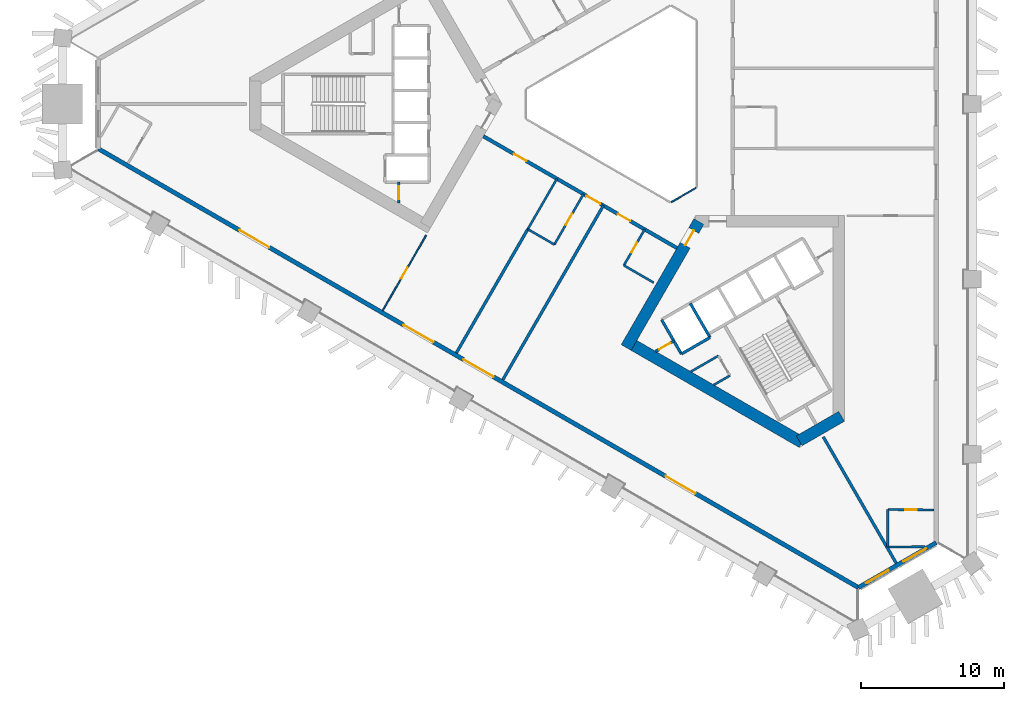
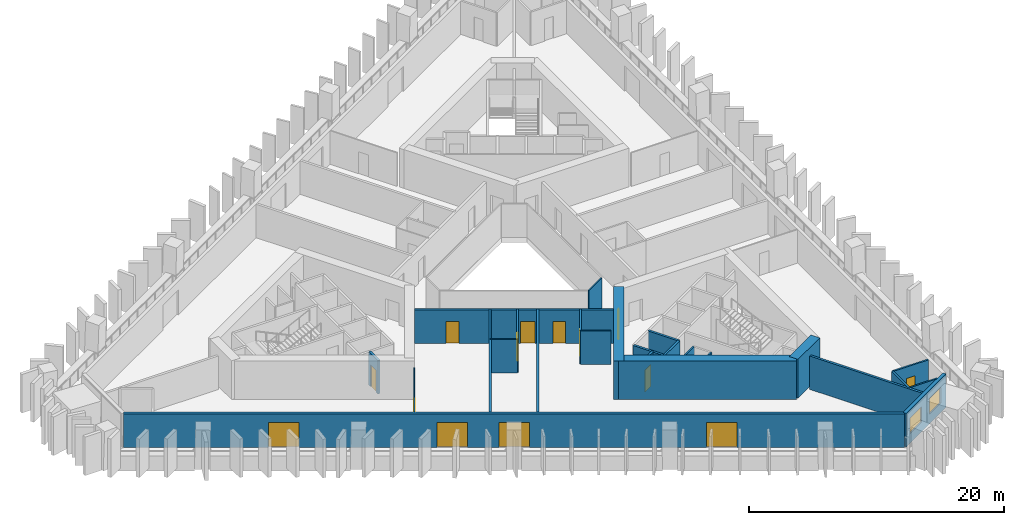
# One storey, part 2 of 10: 26 walls, 14 doors, 2 windows, 16 openings.
"""IFC4 building model written with IfcOpenShell, lengths in metres."""

from ifc_helpers import new_model, si_unit, direction, frame, frame_2d, origin, place, context, subcontext, project, spatial, rectangle, extrude, material, layer, layer_set, type_object, element, fill, save


model = new_model("IFC4")

# Units and contexts
model_context = context("Model", 3, precision=1e-05, world=origin(), true_north=direction((0.0, 1.0)))
body_context = subcontext(model_context, "Body", "Model", "MODEL_VIEW")
ifc_project = project(units=[si_unit("LENGTHUNIT", "METRE"), si_unit("AREAUNIT", "SQUARE_METRE"), si_unit("VOLUMEUNIT", "CUBIC_METRE"), si_unit("PLANEANGLEUNIT", "RADIAN"), si_unit("MASSUNIT", "GRAM", prefix="KILO")], contexts=[model_context])

# Site, building, storey
site_placement = place(None, origin())
site = spatial("IfcSite", under=ifc_project, at=site_placement, CompositionType="ELEMENT")
building_placement = place(site_placement, origin())
building = spatial("IfcBuilding", under=site, at=building_placement, Name="Jabali Bay Hotel Tower and Convention Centre", CompositionType="ELEMENT")
storey_placement = place(building_placement, frame((0.0, 0.0, 41.10009765625)))
storey = spatial("IfcBuildingStorey", under=building, at=storey_placement, Name="L08", CompositionType="ELEMENT", Elevation=41.10009765625)

# Wall
ifc_material_1 = material(Name="Fire-resistant glazing", Category="glass")
ifc_layer_1 = layer(ifc_material_1, 0.10009765625)
ifc_layer_set_1 = layer_set([ifc_layer_1], Name="Fire-resistant glazing")
wall_type_1 = type_object("IfcWallType", Name="Atrium glazed screen 100", PredefinedType="PARTITIONING", material=ifc_layer_set_1)
wall_1_placement = place(storey_placement, frame((77.7978515625, 73.15380859375, 0.0), z_axis=(0.0, 0.0, 1.0), x_axis=(0.866041268327, 0.499972520799, 0.0)))
element("IfcWall", 1, at=wall_1_placement, inside=storey, type_object=wall_type_1, Name="Atrium screen 6 L08", PredefinedType="PARTITIONING", context=body_context, shape_type="SweptSolid", body=[
    extrude(rectangle(XDim=2.0, YDim=0.10009765625, at=frame_2d((1.0, 0.0))), origin(), (0.0, 0.0, 1.0), 3.199951171875),
])

# Wall, opening, door
ifc_material_2 = material(Name="Concrete C40", Category="concrete")
ifc_layer_2 = layer(ifc_material_2, 0.199951171875)
ifc_layer_set_2 = layer_set([ifc_layer_2], Name="Concrete C40")
wall_type_2 = type_object("IfcWallType", Name="Core partition wall 200", PredefinedType="PARTITIONING", material=ifc_layer_set_2)
wall_2_placement = place(storey_placement, frame((58.800048828125, 74.550048828125, 0.0), z_axis=(0.0, 0.0, 1.0), x_axis=(0.0, -1.0, 0.0)))
wall_2 = element("IfcWall", 2, at=wall_2_placement, inside=storey, type_object=wall_type_2, Name="Core wall 0.12 L08", PredefinedType="PARTITIONING", context=body_context, shape_type="SweptSolid", body=[
    extrude(rectangle(XDim=1.455078125, YDim=0.199951171875, at=frame_2d((0.7275390625, 0.0))), origin(), (0.0, 0.0, 1.0), 3.199951171875),
])
opening_1_placement = place(wall_2_placement, frame((0.277587890625, 0.0, 0.0)))
opening_1 = element("IfcOpeningElement", 3, at=opening_1_placement, cuts=wall_2, Name="Opening D254", PredefinedType="OPENING", context=body_context, shape_type="SweptSolid", body=[
    extrude(rectangle(XDim=0.89990234375, YDim=2.10009765625, at=frame_2d((0.449951171875, 1.050048828125))), frame((0.0, 0.1103515625, 0.0), z_axis=(0.0, -1.0, 0.0), x_axis=(1.0, 0.0, 0.0)), (0.0, 0.0, 1.0), 0.220947265625),
])
ifc_material_3 = material(Name="Fire-rated steel door", Category="steel")
door_type_1 = type_object("IfcDoorType", Name="Vestibule fire door 900 x 2100", OperationType="NOTDEFINED", PredefinedType="NOTDEFINED", material=ifc_material_3)
door_1_placement = place(opening_1_placement, origin())
door_1 = element("IfcDoor", 4, at=door_1_placement, inside=storey, type_object=door_type_1, Name="Vestibule fire door D254", OperationType="SINGLE_SWING_LEFT", OverallHeight=2.10009765625, OverallWidth=0.89990234375, PredefinedType="NOTDEFINED", context=body_context, shape_type="SweptSolid", body=[
    extrude(rectangle(XDim=0.89990234375, YDim=2.10009765625, at=frame_2d((0.449951171875, 1.050048828125))), frame((0.0, 0.02490234375, 0.0), z_axis=(0.0, -1.0, 0.0), x_axis=(1.0, 0.0, 0.0)), (0.0, 0.0, 1.0), 0.050048828125),
])
fill(opening_1, door_1)

wall_3_placement = place(storey_placement, frame((76.719970703125, 62.748779296875, 0.0), z_axis=(0.0, 0.0, 1.0), x_axis=(0.866054810376, 0.49994906283, 0.0)))
wall_3 = element("IfcWall", 5, at=wall_3_placement, inside=storey, type_object=wall_type_2, Name="Core wall 2.11 L08", PredefinedType="PARTITIONING", context=body_context, shape_type="SweptSolid", body=[
    extrude(rectangle(XDim=1.461181640625, YDim=0.199951171875, at=frame_2d((0.73046875, 0.0))), origin(), (0.0, 0.0, 1.0), 3.199951171875),
])
opening_2_placement = place(wall_3_placement, frame((0.280517578125, 0.0, 0.0)))
opening_2 = element("IfcOpeningElement", 6, at=opening_2_placement, cuts=wall_3, Name="Opening D267", PredefinedType="OPENING", context=body_context, shape_type="SweptSolid", body=[
    extrude(rectangle(XDim=0.89990234375, YDim=2.10009765625, at=frame_2d((0.449951171875, 1.050048828125))), frame((0.0, 0.1103515625, 0.0), z_axis=(0.0, -1.0, 0.0), x_axis=(1.0, 0.0, 0.0)), (0.0, 0.0, 1.0), 0.220947265625),
])
door_2_placement = place(opening_2_placement, origin())
door_2 = element("IfcDoor", 7, at=door_2_placement, inside=storey, type_object=door_type_1, Name="Vestibule fire door D267", OperationType="SINGLE_SWING_LEFT", OverallHeight=2.10009765625, OverallWidth=0.89990234375, PredefinedType="NOTDEFINED", context=body_context, shape_type="SweptSolid", body=[
    extrude(rectangle(XDim=0.89990234375, YDim=2.10009765625, at=frame_2d((0.449951171875, 1.050048828125))), frame((0.0, 0.02490234375, 0.0), z_axis=(0.0, -1.0, 0.0), x_axis=(1.0, 0.0, 0.0)), (0.0, 0.0, 1.0), 0.050048828125),
])
fill(opening_2, door_2)

# Walls
ifc_material_4 = material(Name="Fire-rated board partition")
ifc_layer_3 = layer(ifc_material_4, 0.14990234375)
ifc_layer_set_3 = layer_set([ifc_layer_3], Name="Fire-rated board partition")
wall_type_3 = type_object("IfcWallType", Name="Core room partition 150", PredefinedType="PARTITIONING", material=ifc_layer_set_3)
wall_4_placement = place(storey_placement, frame((79.169921875, 61.334228515625, 0.0), z_axis=(0.0, 0.0, 1.0), x_axis=(0.866030041738, 0.499991966744, 0.0)))
element("IfcWall", 8, at=wall_4_placement, inside=storey, type_object=wall_type_3, Name="Core wall 2.16 L08", PredefinedType="PARTITIONING", context=body_context, shape_type="SweptSolid", body=[
    extrude(rectangle(XDim=2.2216796875, YDim=0.14990234375, at=frame_2d((1.11083984375, 0.0))), origin(), (0.0, 0.0, 1.0), 3.199951171875),
])
wall_5_placement = place(storey_placement, frame((80.77001953125, 60.410400390625, 0.0), z_axis=(0.0, 0.0, 1.0), x_axis=(0.865988195383, 0.500064441305, 0.0)))
element("IfcWall", 9, at=wall_5_placement, inside=storey, type_object=wall_type_3, Name="Core wall 2.17 L08", PredefinedType="PARTITIONING", context=body_context, shape_type="SweptSolid", body=[
    extrude(rectangle(XDim=1.297607421875, YDim=0.14990234375, at=frame_2d((0.64892578125, 0.0))), origin(), (0.0, 0.0, 1.0), 3.199951171875),
])
ifc_layer_4 = layer(ifc_material_2, 0.199951171875)
ifc_layer_set_4 = layer_set([ifc_layer_4], Name="Concrete C40")
wall_type_4 = type_object("IfcWallType", Name="Core stair wall 200", PredefinedType="SOLIDWALL", material=ifc_layer_set_4)
for number, where, z_axis, x_axis, name in (
    (10, (77.13525390625, 64.95166015625, 0.0), (0.0, 0.0, 1.0), (0.499996545922, -0.866027397988, 0.0), "Core wall 2.0 L08"),
    (11, (79.127197265625, 66.1015625, 0.0), (0.0, 0.0, 1.0), (0.499996545922, -0.866027397988, 0.0), "Core wall 2.2 L08"),
):
    element("IfcWall", number, at=place(storey_placement, frame(where, z_axis=z_axis, x_axis=x_axis)), inside=storey, type_object=wall_type_4, Name=name, PredefinedType="SOLIDWALL", context=body_context, shape_type="SweptSolid", body=[
        extrude(rectangle(XDim=2.75, YDim=0.199951171875, at=frame_2d((1.375, 0.0))), origin(), (0.0, 0.0, 1.0), 3.199951171875),
    ])
wall_6_placement = place(storey_placement, frame((78.51025390625, 62.570068359375, 0.0), z_axis=(0.0, 0.0, 1.0), x_axis=(0.866053019151, 0.499952165731, 0.0)))
element("IfcWall", 12, at=wall_6_placement, inside=storey, type_object=wall_type_4, Name="Core wall 2.14 L08", PredefinedType="SOLIDWALL", context=body_context, shape_type="SweptSolid", body=[
    extrude(rectangle(XDim=2.300048828125, YDim=0.199951171875, at=frame_2d((1.14990234375, 0.0))), origin(), (0.0, 0.0, 1.0), 3.199951171875),
])

# Wall, opening, door
ifc_material_5 = material(Name="Concrete C60", Category="concrete")
ifc_layer_5 = layer(ifc_material_5, 0.800048828125)
ifc_layer_set_5 = layer_set([ifc_layer_5], Name="Concrete C60")
wall_type_5 = type_object("IfcWallType", Name="Core wall 800", PredefinedType="SHEAR", material=ifc_layer_set_5)
wall_7_placement = place(storey_placement, frame((79.73095703125, 71.8056640625, 0.0), z_axis=(0.0, 0.0, 1.0), x_axis=(-0.49999662545, -0.866027352073, 0.0)))
wall_7 = element("IfcWall", 13, at=wall_7_placement, inside=storey, type_object=wall_type_5, Name="Core wall 3.1 L08", PredefinedType="SHEAR", context=body_context, shape_type="SweptSolid", body=[
    extrude(rectangle(XDim=10.14892578125, YDim=0.800048828125, at=frame_2d((5.074462890625, 0.0))), origin(), (0.0, 0.0, 1.0), 3.699951171875),
])
opening_3_placement = place(wall_7_placement, frame((0.718994140625, 0.0, 0.0)))
opening_3 = element("IfcOpeningElement", 14, at=opening_3_placement, cuts=wall_7, Name="Opening D264", PredefinedType="OPENING", context=body_context, shape_type="SweptSolid", body=[
    extrude(rectangle(XDim=1.199951171875, YDim=2.10009765625, at=frame_2d((0.60009765625, 1.050048828125))), frame((0.0, 0.41064453125, 0.0), z_axis=(0.0, -1.0, 0.0), x_axis=(1.0, 0.0, 0.0)), (0.0, 0.0, 1.0), 0.821044921875),
])
door_type_2 = type_object("IfcDoorType", Name="Corridor end fire door 1200 x 2100", OperationType="NOTDEFINED", PredefinedType="NOTDEFINED", material=ifc_material_3)
door_3_placement = place(opening_3_placement, origin())
door_3 = element("IfcDoor", 15, at=door_3_placement, inside=storey, type_object=door_type_2, Name="Corridor end fire door D264", OperationType="SINGLE_SWING_RIGHT", OverallHeight=2.10009765625, OverallWidth=1.199951171875, PredefinedType="NOTDEFINED", context=body_context, shape_type="SweptSolid", body=[
    extrude(rectangle(XDim=1.199951171875, YDim=2.10009765625, at=frame_2d((0.60009765625, 1.050048828125))), frame((0.0, 0.02490234375, 0.0), z_axis=(0.0, -1.0, 0.0), x_axis=(1.0, 0.0, 0.0)), (0.0, 0.0, 1.0), 0.050048828125),
])
fill(opening_3, door_3)

# Walls
wall_8_placement = place(storey_placement, frame((74.8564453125, 63.36279296875, 0.0), z_axis=(0.0, 0.0, 1.0), x_axis=(0.866029478545, -0.499992942241, 0.0)))
element("IfcWall", 16, at=wall_8_placement, inside=storey, type_object=wall_type_5, Name="Core wall 3.2 L08", PredefinedType="SHEAR", context=body_context, shape_type="SweptSolid", body=[
    extrude(rectangle(XDim=13.933349609375, YDim=0.800048828125, at=frame_2d((6.966796875, 0.0))), origin(), (0.0, 0.0, 1.0), 3.699951171875),
])
wall_9_placement = place(storey_placement, frame((86.72314453125, 56.51171875, 0.0), z_axis=(0.0, 0.0, 1.0), x_axis=(0.866034355626, 0.499984494636, 0.0)))
element("IfcWall", 17, at=wall_9_placement, inside=storey, type_object=wall_type_5, Name="Core wall 3.3 L08", PredefinedType="SHEAR", context=body_context, shape_type="SweptSolid", body=[
    extrude(rectangle(XDim=3.4140625, YDim=0.800048828125, at=frame_2d((1.70703125, 0.0))), origin(), (0.0, 0.0, 1.0), 3.699951171875),
])

# Wall, openings, doors
ifc_layer_6 = layer(ifc_material_5, 0.25)
ifc_layer_set_6 = layer_set([ifc_layer_6], Name="Concrete C60")
wall_type_6 = type_object("IfcWallType", Name="Corridor wall 250", PredefinedType="SHEAR", material=ifc_layer_set_6)
wall_10_placement = place(storey_placement, frame((64.699951171875, 77.748291015625, 0.0), z_axis=(0.0, 0.0, 1.0), x_axis=(0.866026492143, -0.499998114903, 0.0)))
wall_10 = element("IfcWall", 18, at=wall_10_placement, inside=storey, type_object=wall_type_6, Name="Corridor wall 3 L08", PredefinedType="SHEAR", context=body_context, shape_type="SweptSolid", body=[
    extrude(rectangle(XDim=15.58837890625, YDim=0.25, at=frame_2d((7.794189453125, 0.0))), origin(), (0.0, 0.0, 1.0), 3.199951171875),
])
opening_4_placement = place(wall_10_placement, frame((2.4619140625, 0.0, 0.0)))
opening_4 = element("IfcOpeningElement", 19, at=opening_4_placement, cuts=wall_10, Name="Opening 0816", PredefinedType="OPENING", context=body_context, shape_type="SweptSolid", body=[
    extrude(rectangle(XDim=1.0, YDim=2.10009765625, at=frame_2d((0.5, 1.050048828125))), frame((0.0, 0.135498046875, 0.0), z_axis=(0.0, -1.0, 0.0), x_axis=(1.0, 0.0, 0.0)), (0.0, 0.0, 1.0), 0.27099609375),
])
opening_5_placement = place(wall_10_placement, frame((8.314697265625, 0.0, 0.0)))
opening_5 = element("IfcOpeningElement", 20, at=opening_5_placement, cuts=wall_10, Name="Opening 0820", PredefinedType="OPENING", context=body_context, shape_type="SweptSolid", body=[
    extrude(rectangle(XDim=1.10009765625, YDim=2.10009765625, at=frame_2d((0.550048828125, 1.050048828125))), frame((0.0, 0.135498046875, 0.0), z_axis=(0.0, -1.0, 0.0), x_axis=(1.0, 0.0, 0.0)), (0.0, 0.0, 1.0), 0.27099609375),
])
opening_6_placement = place(wall_10_placement, frame((10.82666015625, 0.0, 0.0)))
opening_6 = element("IfcOpeningElement", 21, at=opening_6_placement, cuts=wall_10, Name="Opening 0822", PredefinedType="OPENING", context=body_context, shape_type="SweptSolid", body=[
    extrude(rectangle(XDim=1.0, YDim=2.10009765625, at=frame_2d((0.5, 1.050048828125))), frame((0.0, 0.135498046875, 0.0), z_axis=(0.0, -1.0, 0.0), x_axis=(1.0, 0.0, 0.0)), (0.0, 0.0, 1.0), 0.27099609375),
])
ifc_material_6 = material(Name="Timber", Category="wood")
door_type_3 = type_object("IfcDoorType", Name="Accessible guest room door 1100 x 2100", OperationType="NOTDEFINED", PredefinedType="NOTDEFINED", material=ifc_material_6)
door_4_placement = place(opening_5_placement, origin())
door_4 = element("IfcDoor", 22, at=door_4_placement, inside=storey, type_object=door_type_3, Name="Door 0820", OperationType="SINGLE_SWING_RIGHT", OverallHeight=2.10009765625, OverallWidth=1.10009765625, PredefinedType="NOTDEFINED", context=body_context, shape_type="SweptSolid", body=[
    extrude(rectangle(XDim=1.10009765625, YDim=2.10009765625, at=frame_2d((0.550048828125, 1.050048828125))), frame((0.0, 0.02490234375, 0.0), z_axis=(0.0, -1.0, 0.0), x_axis=(1.0, 0.0, 0.0)), (0.0, 0.0, 1.0), 0.050048828125),
])
fill(opening_5, door_4)
door_type_4 = type_object("IfcDoorType", Name="Guest room door 1000 x 2100", OperationType="NOTDEFINED", PredefinedType="NOTDEFINED", material=ifc_material_6)
door_5_placement = place(opening_4_placement, origin())
door_5 = element("IfcDoor", 23, at=door_5_placement, inside=storey, type_object=door_type_4, Name="Door 0816", OperationType="SINGLE_SWING_LEFT", OverallHeight=2.10009765625, OverallWidth=1.0, PredefinedType="NOTDEFINED", context=body_context, shape_type="SweptSolid", body=[
    extrude(rectangle(XDim=1.0, YDim=2.10009765625, at=frame_2d((0.5, 1.050048828125))), frame((0.0, 0.02490234375, 0.0), z_axis=(0.0, -1.0, 0.0), x_axis=(1.0, 0.0, 0.0)), (0.0, 0.0, 1.0), 0.050048828125),
])
fill(opening_4, door_5)
door_6_placement = place(opening_6_placement, origin())
door_6 = element("IfcDoor", 24, at=door_6_placement, inside=storey, type_object=door_type_4, Name="Door 0822", OperationType="SINGLE_SWING_RIGHT", OverallHeight=2.10009765625, OverallWidth=1.0, PredefinedType="NOTDEFINED", context=body_context, shape_type="SweptSolid", body=[
    extrude(rectangle(XDim=1.0, YDim=2.10009765625, at=frame_2d((0.5, 1.050048828125))), frame((0.0, 0.02490234375, 0.0), z_axis=(0.0, -1.0, 0.0), x_axis=(1.0, 0.0, 0.0)), (0.0, 0.0, 1.0), 0.050048828125),
])
fill(opening_6, door_6)

# Wall, openings, windows
ifc_layer_7 = layer(ifc_material_2, 0.300048828125)
ifc_layer_set_7 = layer_set([ifc_layer_7], Name="Concrete C40")
wall_type_7 = type_object("IfcWallType", Name="External wall 300", PredefinedType="SOLIDWALL", material=ifc_layer_set_7)
wall_11_placement = place(storey_placement, frame((96.27587890625, 49.409912109375, 0.0), z_axis=(0.0, 0.0, 1.0), x_axis=(-0.866021938441, -0.500006002103, 0.0)))
wall_11 = element("IfcWall", 25, at=wall_11_placement, inside=storey, type_object=wall_type_7, Name="External wall south-east chamfer L08", PredefinedType="SOLIDWALL", context=body_context, shape_type="SweptSolid", body=[
    extrude(rectangle(XDim=6.2607421875, YDim=0.300048828125, at=frame_2d((3.13037109375, 0.0))), origin(), (0.0, 0.0, 1.0), 3.199951171875),
])
opening_7_placement = place(wall_11_placement, frame((0.82958984375, 0.0, 0.89990234375)))
opening_7 = element("IfcOpeningElement", 26, at=opening_7_placement, cuts=wall_11, Name="Opening W1", PredefinedType="OPENING", context=body_context, shape_type="SweptSolid", body=[
    extrude(rectangle(XDim=1.800048828125, YDim=1.5, at=frame_2d((0.89990234375, 0.75))), frame((0.0, 0.16064453125, 0.0), z_axis=(0.0, -1.0, 0.0), x_axis=(1.0, 0.0, 0.0)), (0.0, 0.0, 1.0), 0.321044921875),
])
opening_8_placement = place(wall_11_placement, frame((3.83837890625, 0.0, 0.89990234375)))
opening_8 = element("IfcOpeningElement", 27, at=opening_8_placement, cuts=wall_11, Name="Opening W1", PredefinedType="OPENING", context=body_context, shape_type="SweptSolid", body=[
    extrude(rectangle(XDim=1.800048828125, YDim=1.5, at=frame_2d((0.89990234375, 0.75))), frame((0.0, 0.16064453125, 0.0), z_axis=(0.0, -1.0, 0.0), x_axis=(1.0, 0.0, 0.0)), (0.0, 0.0, 1.0), 0.321044921875),
])
ifc_material_7 = material(Name="Glass", Category="glass")
window_type = type_object("IfcWindowType", Name="Window 1800 x 1500", PartitioningType="SINGLE_PANEL", PredefinedType="WINDOW", material=ifc_material_7)
window_1_placement = place(opening_7_placement, origin())
window_1 = element("IfcWindow", 28, at=window_1_placement, inside=storey, type_object=window_type, Name="Window 801", OverallHeight=1.5, OverallWidth=1.800048828125, PartitioningType="SINGLE_PANEL", PredefinedType="WINDOW", context=body_context, shape_type="SweptSolid", body=[
    extrude(rectangle(XDim=1.800048828125, YDim=1.5, at=frame_2d((0.89990234375, 0.75))), frame((0.0, 0.030029296875, 0.0), z_axis=(0.0, -1.0, 0.0), x_axis=(1.0, 0.0, 0.0)), (0.0, 0.0, 1.0), 0.06005859375),
])
fill(opening_7, window_1)
window_2_placement = place(opening_8_placement, origin())
window_2 = element("IfcWindow", 29, at=window_2_placement, inside=storey, type_object=window_type, Name="Window 809", OverallHeight=1.5, OverallWidth=1.800048828125, PartitioningType="SINGLE_PANEL", PredefinedType="WINDOW", context=body_context, shape_type="SweptSolid", body=[
    extrude(rectangle(XDim=1.800048828125, YDim=1.5, at=frame_2d((0.89990234375, 0.75))), frame((0.0, 0.030029296875, 0.0), z_axis=(0.0, -1.0, 0.0), x_axis=(1.0, 0.0, 0.0)), (0.0, 0.0, 1.0), 0.06005859375),
])
fill(opening_8, window_2)

# Wall, openings, doors
wall_12_placement = place(storey_placement, frame((90.85400390625, 46.279541015625, 0.0), z_axis=(0.0, 0.0, 1.0), x_axis=(-0.866026630825, 0.499997874697, 0.0)))
wall_12 = element("IfcWall", 30, at=wall_12_placement, inside=storey, type_object=wall_type_7, Name="External wall south-west face L08", PredefinedType="SOLIDWALL", context=body_context, shape_type="SweptSolid", body=[
    extrude(rectangle(XDim=61.180419921875, YDim=0.300048828125, at=frame_2d((30.59033203125, 0.0))), origin(), (0.0, 0.0, 1.0), 3.199951171875),
])
opening_9_placement = place(wall_12_placement, frame((29.39013671875, 0.0, 0.0)))
opening_9 = element("IfcOpeningElement", 31, at=opening_9_placement, cuts=wall_12, Name="Opening SD1", PredefinedType="OPENING", context=body_context, shape_type="SweptSolid", body=[
    extrude(rectangle(XDim=2.39990234375, YDim=2.39990234375, at=frame_2d((1.199951171875, 1.199951171875))), frame((0.0, 0.16064453125, 0.0), z_axis=(0.0, -1.0, 0.0), x_axis=(1.0, 0.0, 0.0)), (0.0, 0.0, 1.0), 0.321044921875),
])
opening_10_placement = place(wall_12_placement, frame((34.22265625, 0.0, 0.0)))
opening_10 = element("IfcOpeningElement", 32, at=opening_10_placement, cuts=wall_12, Name="Opening SD1", PredefinedType="OPENING", context=body_context, shape_type="SweptSolid", body=[
    extrude(rectangle(XDim=2.39990234375, YDim=2.39990234375, at=frame_2d((1.199951171875, 1.199951171875))), frame((0.0, 0.16064453125, 0.0), z_axis=(0.0, -1.0, 0.0), x_axis=(1.0, 0.0, 0.0)), (0.0, 0.0, 1.0), 0.321044921875),
])
opening_11_placement = place(wall_12_placement, frame((47.43896484375, 0.0, 0.0)))
opening_11 = element("IfcOpeningElement", 33, at=opening_11_placement, cuts=wall_12, Name="Opening SD1", PredefinedType="OPENING", context=body_context, shape_type="SweptSolid", body=[
    extrude(rectangle(XDim=2.39990234375, YDim=2.39990234375, at=frame_2d((1.199951171875, 1.199951171875))), frame((0.0, 0.16064453125, 0.0), z_axis=(0.0, -1.0, 0.0), x_axis=(1.0, 0.0, 0.0)), (0.0, 0.0, 1.0), 0.321044921875),
])
opening_12_placement = place(wall_12_placement, frame((13.116455078125, 0.0, 0.0)))
opening_12 = element("IfcOpeningElement", 34, at=opening_12_placement, cuts=wall_12, Name="Opening SD1", PredefinedType="OPENING", context=body_context, shape_type="SweptSolid", body=[
    extrude(rectangle(XDim=2.39990234375, YDim=2.39990234375, at=frame_2d((1.199951171875, 1.199951171875))), frame((0.0, 0.16064453125, 0.0), z_axis=(0.0, -1.0, 0.0), x_axis=(1.0, 0.0, 0.0)), (0.0, 0.0, 1.0), 0.321044921875),
])
door_type_5 = type_object("IfcDoorType", Name="Loggia sliding door 2400 x 2400", OperationType="NOTDEFINED", PredefinedType="NOTDEFINED", material=ifc_material_7)
door_7_placement = place(opening_9_placement, origin())
door_7 = element("IfcDoor", 35, at=door_7_placement, inside=storey, type_object=door_type_5, Name="Loggia sliding door 808", OperationType="SLIDING_TO_LEFT", OverallHeight=2.39990234375, OverallWidth=2.39990234375, PredefinedType="NOTDEFINED", context=body_context, shape_type="SweptSolid", body=[
    extrude(rectangle(XDim=2.39990234375, YDim=2.39990234375, at=frame_2d((1.199951171875, 1.199951171875))), frame((0.0, 0.02490234375, 0.0), z_axis=(0.0, -1.0, 0.0), x_axis=(1.0, 0.0, 0.0)), (0.0, 0.0, 1.0), 0.050048828125),
])
fill(opening_9, door_7)
door_8_placement = place(opening_10_placement, origin())
door_8 = element("IfcDoor", 36, at=door_8_placement, inside=storey, type_object=door_type_5, Name="Loggia sliding door 807", OperationType="SLIDING_TO_RIGHT", OverallHeight=2.39990234375, OverallWidth=2.39990234375, PredefinedType="NOTDEFINED", context=body_context, shape_type="SweptSolid", body=[
    extrude(rectangle(XDim=2.39990234375, YDim=2.39990234375, at=frame_2d((1.199951171875, 1.199951171875))), frame((0.0, 0.02490234375, 0.0), z_axis=(0.0, -1.0, 0.0), x_axis=(1.0, 0.0, 0.0)), (0.0, 0.0, 1.0), 0.050048828125),
])
fill(opening_10, door_8)
door_9_placement = place(opening_11_placement, origin())
door_9 = element("IfcDoor", 37, at=door_9_placement, inside=storey, type_object=door_type_5, Name="Loggia sliding door 807", OperationType="SLIDING_TO_LEFT", OverallHeight=2.39990234375, OverallWidth=2.39990234375, PredefinedType="NOTDEFINED", context=body_context, shape_type="SweptSolid", body=[
    extrude(rectangle(XDim=2.39990234375, YDim=2.39990234375, at=frame_2d((1.199951171875, 1.199951171875))), frame((0.0, 0.02490234375, 0.0), z_axis=(0.0, -1.0, 0.0), x_axis=(1.0, 0.0, 0.0)), (0.0, 0.0, 1.0), 0.050048828125),
])
fill(opening_11, door_9)
door_10_placement = place(opening_12_placement, origin())
door_10 = element("IfcDoor", 38, at=door_10_placement, inside=storey, type_object=door_type_5, Name="Loggia sliding door 809", OperationType="SLIDING_TO_RIGHT", OverallHeight=2.39990234375, OverallWidth=2.39990234375, PredefinedType="NOTDEFINED", context=body_context, shape_type="SweptSolid", body=[
    extrude(rectangle(XDim=2.39990234375, YDim=2.39990234375, at=frame_2d((1.199951171875, 1.199951171875))), frame((0.0, 0.02490234375, 0.0), z_axis=(0.0, -1.0, 0.0), x_axis=(1.0, 0.0, 0.0)), (0.0, 0.0, 1.0), 0.050048828125),
])
fill(opening_12, door_10)

# Wall, opening, door
ifc_material_8 = material(Name="Plasterboard on steel stud", Category="steel")
ifc_layer_8 = layer(ifc_material_8, 0.10009765625)
ifc_layer_set_8 = layer_set([ifc_layer_8], Name="Plasterboard on steel stud")
wall_type_8 = type_object("IfcWallType", Name="Partition 100 unit", PredefinedType="PARTITIONING", material=ifc_layer_set_8)
wall_13_placement = place(storey_placement, frame((60.71044921875, 70.83837890625, 0.0), z_axis=(0.0, 0.0, 1.0), x_axis=(-0.499985689571, -0.866033665757, 0.0)))
wall_13 = element("IfcWall", 39, at=wall_13_placement, inside=storey, type_object=wall_type_8, Name="Partition P02 L08 027", PredefinedType="PARTITIONING", context=body_context, shape_type="SweptSolid", body=[
    extrude(rectangle(XDim=6.048095703125, YDim=0.10009765625, at=frame_2d((3.02392578125, 0.0))), origin(), (0.0, 0.0, 1.0), 3.199951171875),
])
opening_13_placement = place(wall_13_placement, frame((2.573974609375, 0.0, 0.0)))
opening_13 = element("IfcOpeningElement", 40, at=opening_13_placement, cuts=wall_13, Name="Opening 0817", PredefinedType="OPENING", context=body_context, shape_type="SweptSolid", body=[
    extrude(rectangle(XDim=0.89990234375, YDim=2.10009765625, at=frame_2d((0.449951171875, 1.050048828125))), frame((0.0, 0.060546875, 0.0), z_axis=(0.0, -1.0, 0.0), x_axis=(1.0, 0.0, 0.0)), (0.0, 0.0, 1.0), 0.12109375),
])
door_type_6 = type_object("IfcDoorType", Name="Internal door 900 x 2100", OperationType="NOTDEFINED", PredefinedType="NOTDEFINED", material=ifc_material_6)
door_11_placement = place(opening_13_placement, origin())
door_11 = element("IfcDoor", 41, at=door_11_placement, inside=storey, type_object=door_type_6, Name="Door 0817", OperationType="SINGLE_SWING_RIGHT", OverallHeight=2.10009765625, OverallWidth=0.89990234375, PredefinedType="NOTDEFINED", context=body_context, shape_type="SweptSolid", body=[
    extrude(rectangle(XDim=0.89990234375, YDim=2.10009765625, at=frame_2d((0.449951171875, 1.050048828125))), frame((0.0, 0.02490234375, 0.0), z_axis=(0.0, -1.0, 0.0), x_axis=(1.0, 0.0, 0.0)), (0.0, 0.0, 1.0), 0.050048828125),
])
fill(opening_13, door_11)

# Walls
ifc_layer_9 = layer(ifc_material_8, 0.14990234375)
ifc_layer_set_9 = layer_set([ifc_layer_9], Name="Plasterboard on steel stud")
wall_type_9 = type_object("IfcWallType", Name="Partition 150 wet", PredefinedType="PARTITIONING", material=ifc_layer_set_9)
wall_14_placement = place(storey_placement, frame((95.48193359375, 49.12353515625, 0.0), z_axis=(0.0, 0.0, 1.0), x_axis=(-0.999994198992, -0.003406168149, 0.0)))
element("IfcWall", 42, at=wall_14_placement, inside=storey, type_object=wall_type_9, Name="Partition P03 L08 004", PredefinedType="PARTITIONING", context=body_context, shape_type="SweptSolid", body=[
    extrude(rectangle(XDim=2.580322265625, YDim=0.14990234375, at=frame_2d((1.2900390625, 0.0))), origin(), (0.0, 0.0, 1.0), 3.199951171875),
])
wall_15_placement = place(storey_placement, frame((92.901611328125, 49.11474609375, 0.0), z_axis=(0.0, 0.0, 1.0), x_axis=(0.0, 1.0, 0.0)))
element("IfcWall", 43, at=wall_15_placement, inside=storey, type_object=wall_type_9, Name="Partition P03 L08 005", PredefinedType="PARTITIONING", context=body_context, shape_type="SweptSolid", body=[
    extrude(rectangle(XDim=2.60009765625, YDim=0.14990234375, at=frame_2d((1.300048828125, 0.0))), origin(), (0.0, 0.0, 1.0), 3.199951171875),
])

# Wall, opening, door
wall_16_placement = place(storey_placement, frame((92.901611328125, 51.71484375, 0.0), z_axis=(0.0, 0.0, 1.0), x_axis=(0.999982570839, -0.005904067862, 0.0)))
wall_16 = element("IfcWall", 44, at=wall_16_placement, inside=storey, type_object=wall_type_9, Name="Partition P03 L08 006", PredefinedType="PARTITIONING", context=body_context, shape_type="SweptSolid", body=[
    extrude(rectangle(XDim=3.225341796875, YDim=0.14990234375, at=frame_2d((1.61279296875, 0.0))), origin(), (0.0, 0.0, 1.0), 3.199951171875),
])
opening_14_placement = place(wall_16_placement, frame((1.212890625, 0.0, 0.0)))
opening_14 = element("IfcOpeningElement", 45, at=opening_14_placement, cuts=wall_16, Name="Opening 0803", PredefinedType="OPENING", context=body_context, shape_type="SweptSolid", body=[
    extrude(rectangle(XDim=0.800048828125, YDim=2.10009765625, at=frame_2d((0.39990234375, 1.050048828125))), frame((0.0, 0.08544921875, 0.0), z_axis=(0.0, -1.0, 0.0), x_axis=(1.0, 0.0, 0.0)), (0.0, 0.0, 1.0), 0.1708984375),
])
door_type_7 = type_object("IfcDoorType", Name="En-suite door 800 x 2100", OperationType="NOTDEFINED", PredefinedType="NOTDEFINED", material=ifc_material_6)
door_12_placement = place(opening_14_placement, origin())
door_12 = element("IfcDoor", 46, at=door_12_placement, inside=storey, type_object=door_type_7, Name="Door 0803", OperationType="SINGLE_SWING_LEFT", OverallHeight=2.10009765625, OverallWidth=0.800048828125, PredefinedType="NOTDEFINED", context=body_context, shape_type="SweptSolid", body=[
    extrude(rectangle(XDim=0.800048828125, YDim=2.10009765625, at=frame_2d((0.39990234375, 1.050048828125))), frame((0.0, 0.02490234375, 0.0), z_axis=(0.0, -1.0, 0.0), x_axis=(1.0, 0.0, 0.0)), (0.0, 0.0, 1.0), 0.050048828125),
])
fill(opening_14, door_12)

# Wall
wall_17_placement = place(storey_placement, frame((67.79833984375, 71.267822265625, 0.0), z_axis=(0.0, 0.0, 1.0), x_axis=(0.500029316959, 0.866008476969, 0.0)))
element("IfcWall", 47, at=wall_17_placement, inside=storey, type_object=wall_type_9, Name="Partition P03 L08 029", PredefinedType="PARTITIONING", context=body_context, shape_type="SweptSolid", body=[
    extrude(rectangle(XDim=4.063232421875, YDim=0.14990234375, at=frame_2d((2.03173828125, 0.0))), origin(), (0.0, 0.0, 1.0), 3.199951171875),
])

# Wall, opening, door
wall_18_placement = place(storey_placement, frame((71.684326171875, 73.7158203125, 0.0), z_axis=(0.0, 0.0, 1.0), x_axis=(-0.500010271798, -0.866019473278, 0.0)))
wall_18 = element("IfcWall", 48, at=wall_18_placement, inside=storey, type_object=wall_type_9, Name="Partition P03 L08 033", PredefinedType="PARTITIONING", context=body_context, shape_type="SweptSolid", body=[
    extrude(rectangle(XDim=4.06298828125, YDim=0.14990234375, at=frame_2d((2.031494140625, 0.0))), origin(), (0.0, 0.0, 1.0), 3.199951171875),
])
opening_15_placement = place(wall_18_placement, frame((1.58203125, 0.0, 0.0)))
opening_15 = element("IfcOpeningElement", 49, at=opening_15_placement, cuts=wall_18, Name="Opening 0819", PredefinedType="OPENING", context=body_context, shape_type="SweptSolid", body=[
    extrude(rectangle(XDim=0.89990234375, YDim=2.10009765625, at=frame_2d((0.449951171875, 1.050048828125))), frame((0.0, 0.08544921875, 0.0), z_axis=(0.0, -1.0, 0.0), x_axis=(1.0, 0.0, 0.0)), (0.0, 0.0, 1.0), 0.1708984375),
])
door_type_8 = type_object("IfcDoorType", Name="Accessible en-suite door 900 x 2100", OperationType="NOTDEFINED", PredefinedType="NOTDEFINED", material=ifc_material_6)
door_13_placement = place(opening_15_placement, origin())
door_13 = element("IfcDoor", 50, at=door_13_placement, inside=storey, type_object=door_type_8, Name="Door 0819", OperationType="SINGLE_SWING_RIGHT", OverallHeight=2.10009765625, OverallWidth=0.89990234375, PredefinedType="NOTDEFINED", context=body_context, shape_type="SweptSolid", body=[
    extrude(rectangle(XDim=0.89990234375, YDim=2.10009765625, at=frame_2d((0.449951171875, 1.050048828125))), frame((0.0, 0.02490234375, 0.0), z_axis=(0.0, -1.0, 0.0), x_axis=(1.0, 0.0, 0.0)), (0.0, 0.0, 1.0), 0.050048828125),
])
fill(opening_15, door_13)

# Walls
wall_19_placement = place(storey_placement, frame((69.65283203125, 70.197265625, 0.0), z_axis=(0.0, 0.0, 1.0), x_axis=(-0.86605268637, 0.499952742198, 0.0)))
element("IfcWall", 51, at=wall_19_placement, inside=storey, type_object=wall_type_9, Name="Partition P03 L08 034", PredefinedType="PARTITIONING", context=body_context, shape_type="SweptSolid", body=[
    extrude(rectangle(XDim=2.141357421875, YDim=0.14990234375, at=frame_2d((1.07080078125, 0.0))), origin(), (0.0, 0.0, 1.0), 3.199951171875),
])
wall_20_placement = place(storey_placement, frame((76.57763671875, 67.542236328125, 0.0), z_axis=(0.0, 0.0, 1.0), x_axis=(-0.866038271014, 0.499977712642, 0.0)))
element("IfcWall", 52, at=wall_20_placement, inside=storey, type_object=wall_type_9, Name="Partition P03 L08 036", PredefinedType="PARTITIONING", context=body_context, shape_type="SweptSolid", body=[
    extrude(rectangle(XDim=2.40087890625, YDim=0.14990234375, at=frame_2d((1.200439453125, 0.0))), origin(), (0.0, 0.0, 1.0), 3.199951171875),
])

# Wall, opening, door
wall_21_placement = place(storey_placement, frame((74.498291015625, 68.74267578125, 0.0), z_axis=(0.0, 0.0, 1.0), x_axis=(0.499987231761, 0.866032775405, 0.0)))
wall_21 = element("IfcWall", 53, at=wall_21_placement, inside=storey, type_object=wall_type_9, Name="Partition P03 L08 037", PredefinedType="PARTITIONING", context=body_context, shape_type="SweptSolid", body=[
    extrude(rectangle(XDim=2.89990234375, YDim=0.14990234375, at=frame_2d((1.449951171875, 0.0))), origin(), (0.0, 0.0, 1.0), 3.199951171875),
])
opening_16_placement = place(wall_21_placement, frame((1.050048828125, 0.0, 0.0)))
opening_16 = element("IfcOpeningElement", 54, at=opening_16_placement, cuts=wall_21, Name="Opening 0821", PredefinedType="OPENING", context=body_context, shape_type="SweptSolid", body=[
    extrude(rectangle(XDim=0.800048828125, YDim=2.10009765625, at=frame_2d((0.39990234375, 1.050048828125))), frame((0.0, 0.08544921875, 0.0), z_axis=(0.0, -1.0, 0.0), x_axis=(1.0, 0.0, 0.0)), (0.0, 0.0, 1.0), 0.1708984375),
])
door_14_placement = place(opening_16_placement, origin())
door_14 = element("IfcDoor", 55, at=door_14_placement, inside=storey, type_object=door_type_7, Name="Door 0821", OperationType="SINGLE_SWING_RIGHT", OverallHeight=2.10009765625, OverallWidth=0.800048828125, PredefinedType="NOTDEFINED", context=body_context, shape_type="SweptSolid", body=[
    extrude(rectangle(XDim=0.800048828125, YDim=2.10009765625, at=frame_2d((0.39990234375, 1.050048828125))), frame((0.0, 0.02490234375, 0.0), z_axis=(0.0, -1.0, 0.0), x_axis=(1.0, 0.0, 0.0)), (0.0, 0.0, 1.0), 0.050048828125),
])
fill(opening_16, door_14)

# Walls
ifc_layer_10 = layer(ifc_material_8, 0.199951171875)
ifc_layer_set_10 = layer_set([ifc_layer_10], Name="Plasterboard on steel stud")
wall_type_10 = type_object("IfcWallType", Name="Partition 200 party", PredefinedType="PARTITIONING", material=ifc_layer_set_10)
wall_22_placement = place(storey_placement, frame((88.40185546875, 56.789306640625, 0.0), z_axis=(0.0, 0.0, 1.0), x_axis=(0.499993053251, -0.866029414455, 0.0)))
element("IfcWall", 56, at=wall_22_placement, inside=storey, type_object=wall_type_10, Name="Partition P01 L08 007", PredefinedType="PARTITIONING", context=body_context, shape_type="SweptSolid", body=[
    extrude(rectangle(XDim=10.178955078125, YDim=0.199951171875, at=frame_2d((5.08935546875, 0.0))), origin(), (0.0, 0.0, 1.0), 3.199951171875),
])
wall_23_placement = place(storey_placement, frame((62.816650390625, 62.638916015625, 0.0), z_axis=(0.0, 0.0, 1.0), x_axis=(0.499984050028, 0.866034612309, 0.0)))
element("IfcWall", 57, at=wall_23_placement, inside=storey, type_object=wall_type_10, Name="Partition P01 L08 028", PredefinedType="PARTITIONING", context=body_context, shape_type="SweptSolid", body=[
    extrude(rectangle(XDim=9.963623046875, YDim=0.199951171875, at=frame_2d((4.98193359375, 0.0))), origin(), (0.0, 0.0, 1.0), 3.199951171875),
])
wall_24_placement = place(storey_placement, frame((66.056640625, 60.768310546875, 0.0), z_axis=(0.0, 0.0, 1.0), x_axis=(0.499997162821, 0.866027041824, 0.0)))
element("IfcWall", 58, at=wall_24_placement, inside=storey, type_object=wall_type_10, Name="Partition P01 L08 035", PredefinedType="PARTITIONING", context=body_context, shape_type="SweptSolid", body=[
    extrude(rectangle(XDim=14.02685546875, YDim=0.199951171875, at=frame_2d((7.013427734375, 0.0))), origin(), (0.0, 0.0, 1.0), 3.199951171875),
])

save(model, "model.ifc")
